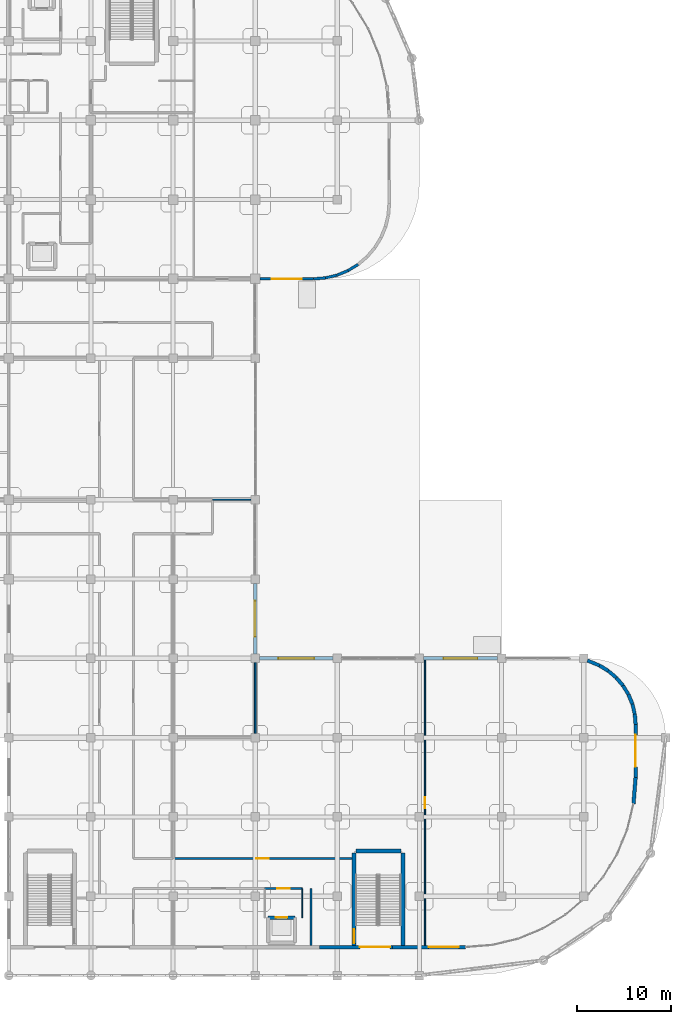
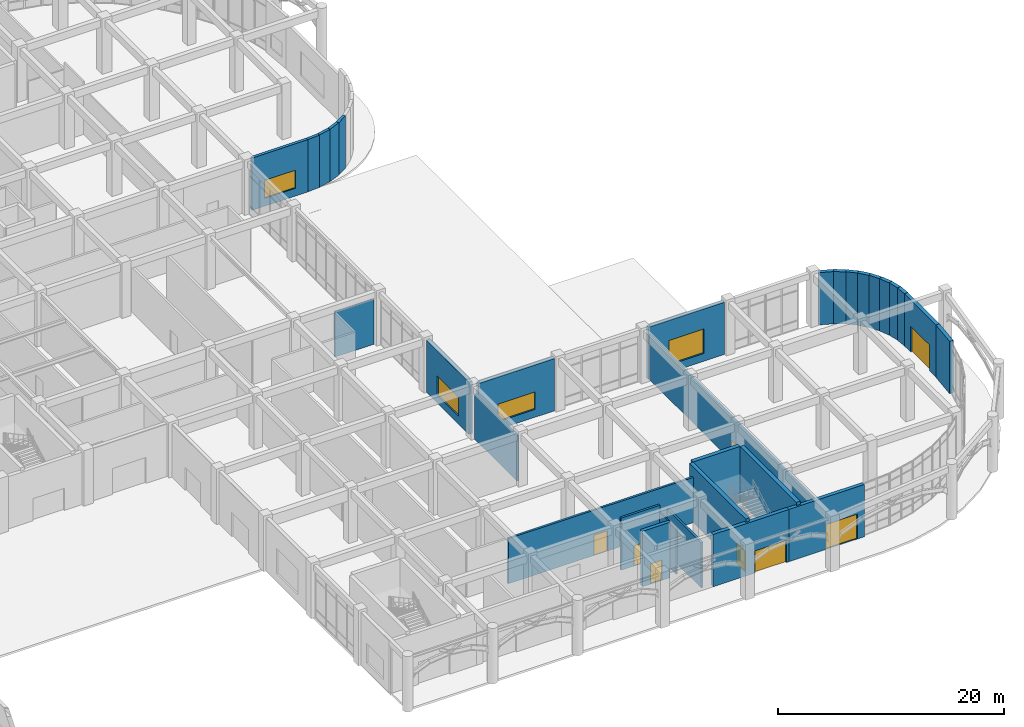
# One storey, part 70 of 82: 31 walls, 8 doors, 4 windows, 12 openings.
"""IFC4 building model written with IfcOpenShell, lengths in metres."""

from ifc_helpers import new_model, si_unit, derived_unit, direction, frame, frame_2d, origin, place, context, subcontext, project, spatial, rectangle, extrude, material, layer, layer_set, type_object, element, fill, save


model = new_model("IFC4")

# Units and contexts
model_context = context("Model", 3, precision=1e-05, world=origin(), true_north=direction((0.0, 1.0)))
body_context = subcontext(model_context, "Body", "Model", "MODEL_VIEW")
ifc_project = project(units=[si_unit("LENGTHUNIT", "METRE"), si_unit("AREAUNIT", "SQUARE_METRE"), si_unit("VOLUMEUNIT", "CUBIC_METRE"), si_unit("PLANEANGLEUNIT", "RADIAN"), si_unit("MASSUNIT", "GRAM", prefix="KILO"), derived_unit("THERMALTRANSMITTANCEUNIT", [(si_unit("MASSUNIT", "GRAM", prefix="KILO"), 1), (si_unit("TIMEUNIT", "SECOND"), -3), (si_unit("THERMODYNAMICTEMPERATUREUNIT", "KELVIN"), -1)])], contexts=[model_context])

# Site, building, storey
site_placement = place(None, origin())
site = spatial("IfcSite", under=ifc_project, at=site_placement, CompositionType="ELEMENT")
building_placement = place(site_placement, origin())
building = spatial("IfcBuilding", under=site, at=building_placement, Name="Qinzheling Arcade Emporium", CompositionType="ELEMENT")
storey_placement = place(building_placement, origin())
storey = spatial("IfcBuildingStorey", under=building, at=storey_placement, Name="L01", CompositionType="ELEMENT", Elevation=0.0)

# Wall, opening, door
ifc_material_1 = material(Name="Double-stud acoustic gypsum board partition")
ifc_layer_1 = layer(ifc_material_1, 0.215087890625, Name="Double-stud acoustic gypsum board partition")
ifc_layer_set_1 = layer_set([ifc_layer_1], Name="Double-stud acoustic gypsum board partition")
wall_type_1 = type_object("IfcWallType", Name="Acoustic Corridor Partition Wall 215", PredefinedType="PARTITIONING", material=ifc_layer_set_1)
wall_1_placement = place(storey_placement, frame((131.5, 9.199951171875, 0.0), z_axis=(0.0, 0.0, 1.0), x_axis=(1.0, 0.0, 0.0)))
wall_1 = element("IfcWall", 1, at=wall_1_placement, inside=storey, type_object=wall_type_1, Name="Interior Wall WL-L01-INT-0098", PredefinedType="PARTITIONING", context=body_context, shape_type="SweptSolid", body=[
    extrude(rectangle(XDim=4.0, YDim=0.215087890625, at=frame_2d((2.0, 0.0))), origin(), (0.0, 0.0, 1.0), 5.659912109375),
])
opening_1_placement = place(wall_1_placement, frame((1.324951171875, 0.0, 0.0)))
opening_1 = element("IfcOpeningElement", 2, at=opening_1_placement, cuts=wall_1, Name="Opening FD05", PredefinedType="OPENING", context=body_context, shape_type="SweptSolid", body=[
    extrude(rectangle(XDim=1.35009765625, YDim=2.199951171875, at=frame_2d((0.675048828125, 1.10009765625))), frame((0.0, 0.11767578125, 0.0), z_axis=(0.0, -1.0, 0.0), x_axis=(1.0, 0.0, 0.0)), (0.0, 0.0, 1.0), 0.235107421875),
])
ifc_material_2 = material(Name="Class B fire-rated stainless-clad door")
door_type_1 = type_object("IfcDoorType", Name="Kitchen Fire-Rated Service Door 1350x2200", OperationType="NOTDEFINED", PredefinedType="DOOR", material=ifc_material_2)
door_1_placement = place(opening_1_placement, origin())
door_1 = element("IfcDoor", 3, at=door_1_placement, inside=storey, type_object=door_type_1, Name="FD05 Interior Door DR-L01-INT-0030", OperationType="SINGLE_SWING_RIGHT", OverallHeight=2.199951171875, OverallWidth=1.35009765625, PredefinedType="DOOR", context=body_context, shape_type="SweptSolid", body=[
    extrude(rectangle(XDim=1.35009765625, YDim=2.199951171875, at=frame_2d((0.675048828125, 1.10009765625))), frame((0.0, 0.02490234375, 0.0), z_axis=(0.0, -1.0, 0.0), x_axis=(1.0, 0.0, 0.0)), (0.0, 0.0, 1.0), 0.050048828125),
])
fill(opening_1, door_1)

wall_2_placement = place(storey_placement, frame((121.800048828125, 12.39990234375, 0.0), z_axis=(0.0, 0.0, 1.0), x_axis=(1.0, 0.0, 0.0)))
wall_2 = element("IfcWall", 4, at=wall_2_placement, inside=storey, type_object=wall_type_1, Name="Interior Wall WL-L01-INT-0194", PredefinedType="PARTITIONING", context=body_context, shape_type="SweptSolid", body=[
    extrude(rectangle(XDim=18.949951171875, YDim=0.215087890625, at=frame_2d((9.47509765625, 0.0))), origin(), (0.0, 0.0, 1.0), 4.89501953125),
])
opening_2_placement = place(wall_2_placement, frame((8.800048828125, 0.0, 0.0)))
opening_2 = element("IfcOpeningElement", 5, at=opening_2_placement, cuts=wall_2, Name="Opening FD05", PredefinedType="OPENING", context=body_context, shape_type="SweptSolid", body=[
    extrude(rectangle(XDim=1.35009765625, YDim=2.199951171875, at=frame_2d((0.675048828125, 1.10009765625))), frame((0.0, 0.11767578125, 0.0), z_axis=(0.0, -1.0, 0.0), x_axis=(1.0, 0.0, 0.0)), (0.0, 0.0, 1.0), 0.235107421875),
])
door_2_placement = place(opening_2_placement, origin())
door_2 = element("IfcDoor", 6, at=door_2_placement, inside=storey, type_object=door_type_1, Name="FD05 Interior Door DR-L01-INT-0061", OperationType="SINGLE_SWING_RIGHT", OverallHeight=2.199951171875, OverallWidth=1.35009765625, PredefinedType="DOOR", context=body_context, shape_type="SweptSolid", body=[
    extrude(rectangle(XDim=1.35009765625, YDim=2.199951171875, at=frame_2d((0.675048828125, 1.10009765625))), frame((0.0, 0.02490234375, 0.0), z_axis=(0.0, -1.0, 0.0), x_axis=(1.0, 0.0, 0.0)), (0.0, 0.0, 1.0), 0.050048828125),
])
fill(opening_2, door_2)

# Walls
wall_3_placement = place(storey_placement, frame((136.39990234375, 3.18505859375, 0.0), z_axis=(0.0, 0.0, 1.0), x_axis=(0.0, 1.0, 0.0)))
element("IfcWall", 7, at=wall_3_placement, inside=storey, type_object=wall_type_1, Name="Interior Wall WL-L01-INT-0196", PredefinedType="PARTITIONING", context=body_context, shape_type="SweptSolid", body=[
    extrude(rectangle(XDim=6.014892578125, YDim=0.215087890625, at=frame_2d((3.00732421875, 0.0))), origin(), (0.0, 0.0, 1.0), 4.89501953125),
])
ifc_material_3 = material(Name="Galvanised stud back-of-house partition")
ifc_layer_2 = layer(ifc_material_3, 0.1201171875, Name="Galvanised stud back-of-house partition")
ifc_layer_set_2 = layer_set([ifc_layer_2], Name="Galvanised stud back-of-house partition")
wall_type_2 = type_object("IfcWallType", Name="Back-of-House Partition Wall 120", PredefinedType="PARTITIONING", material=ifc_layer_set_2)
wall_4_placement = place(storey_placement, frame((135.5, 9.199951171875, 0.0), z_axis=(0.0, 0.0, 1.0), x_axis=(0.0, -1.0, 0.0)))
element("IfcWall", 8, at=wall_4_placement, inside=storey, type_object=wall_type_2, Name="Interior Wall WL-L01-INT-0100", PredefinedType="PARTITIONING", context=body_context, shape_type="SweptSolid", body=[
    extrude(rectangle(XDim=3.070068359375, YDim=0.1201171875, at=frame_2d((1.53515625, 0.0))), origin(), (0.0, 0.0, 1.0), 4.89501953125),
])
ifc_material_4 = material(Name="Lightweight steel-stud gypsum partition", Category="steel")
ifc_layer_3 = layer(ifc_material_4, 0.18994140625, Name="Lightweight steel-stud gypsum partition", Category="steel")
ifc_layer_set_3 = layer_set([ifc_layer_3], Name="Lightweight steel-stud gypsum partition")
wall_type_3 = type_object("IfcWallType", Name="Department Tenant Partition Wall 190", PredefinedType="PARTITIONING", material=ifc_layer_set_3)
wall_5_placement = place(storey_placement, frame((130.5, 33.139892578125, 0.0), z_axis=(0.0, 0.0, 1.0), x_axis=(0.0, -1.0, 0.0)))
element("IfcWall", 9, at=wall_5_placement, inside=storey, type_object=wall_type_3, Name="Interior Wall WL-L01-INT-0249", PredefinedType="PARTITIONING", context=body_context, shape_type="SweptSolid", body=[
    extrude(rectangle(XDim=7.47998046875, YDim=0.18994140625, at=frame_2d((3.739990234375, 0.0))), origin(), (0.0, 0.0, 1.0), 4.89501953125),
])
ifc_material_5 = material(Name="Glazed cream terracotta on Concrete C40", Category="masonry")
ifc_layer_4 = layer(ifc_material_5, 0.3798828125, Name="Glazed cream terracotta on Concrete C40", Category="masonry")
ifc_layer_set_4 = layer_set([ifc_layer_4], Name="Glazed cream terracotta on Concrete C40")
wall_type_4 = type_object("IfcWallType", Name="Glazed Cream Terracotta Structural Wall 380", PredefinedType="STANDARD", material=ifc_layer_set_4)
wall_6_placement = place(storey_placement, frame((166.97802734375, 32.8369140625, 0.0), z_axis=(0.0, 0.0, 1.0), x_axis=(0.85248938518, -0.522744534314, 0.0)))
element("IfcWall", 10, at=wall_6_placement, inside=storey, type_object=wall_type_4, Name="Exterior Wall WL-L01-EW-0002", PredefinedType="STANDARD", context=body_context, shape_type="SweptSolid", body=[
    extrude(rectangle(XDim=1.097900390625, YDim=0.3798828125, at=frame_2d((0.548828125, 0.0))), origin(), (0.0, 0.0, 1.0), 5.659912109375),
])
for number, where, z_axis, x_axis, name in (
    (11, (168.75, 31.550048828125, 0.0), (0.0, 0.0, 1.0), (0.648886069044, -0.760885582332, 0.0), "Exterior Wall WL-L01-EW-0004"),
    (12, (170.037109375, 29.778076171875, 0.0), (0.0, 0.0, 1.0), (0.382247102127, -0.924060145724, 0.0), "Exterior Wall WL-L01-EW-0006"),
):
    element("IfcWall", number, at=place(storey_placement, frame(where, z_axis=z_axis, x_axis=x_axis)), inside=storey, type_object=wall_type_4, Name=name, PredefinedType="STANDARD", context=body_context, shape_type="SweptSolid", body=[
        extrude(rectangle(XDim=1.0986328125, YDim=0.3798828125, at=frame_2d((0.54931640625, 0.0))), origin(), (0.0, 0.0, 1.0), 5.659912109375),
    ])
wall_7_placement = place(storey_placement, frame((170.714111328125, 27.695068359375, 0.0), z_axis=(0.0, 0.0, 1.0), x_axis=(0.078243227069, -0.996934299449, 0.0)))
element("IfcWall", 13, at=wall_7_placement, inside=storey, type_object=wall_type_4, Name="Exterior Wall WL-L01-EW-0008", PredefinedType="STANDARD", context=body_context, shape_type="SweptSolid", body=[
    extrude(rectangle(XDim=1.098388671875, YDim=0.3798828125, at=frame_2d((0.54931640625, 0.0))), origin(), (0.0, 0.0, 1.0), 5.659912109375),
])
wall_8_placement = place(storey_placement, frame((170.800048828125, 21.0, 0.0), z_axis=(0.0, 0.0, 1.0), x_axis=(-0.078652755923, -0.996902073418, 0.0)))
element("IfcWall", 14, at=wall_8_placement, inside=storey, type_object=wall_type_4, Name="Exterior Wall WL-L01-EW-0010", PredefinedType="STANDARD", context=body_context, shape_type="SweptSolid", body=[
    extrude(rectangle(XDim=2.82470703125, YDim=0.3798828125, at=frame_2d((1.412353515625, 0.0))), origin(), (0.0, 0.0, 1.0), 5.659912109375),
])

# Wall, opening, door
wall_9_placement = place(storey_placement, frame((145.048095703125, 3.0, 0.0), z_axis=(0.0, 0.0, 1.0), x_axis=(-1.0, 0.0, 0.0)))
wall_9 = element("IfcWall", 15, at=wall_9_placement, inside=storey, type_object=wall_type_4, Name="Exterior Wall WL-L01-EW-0012", PredefinedType="STANDARD", context=body_context, shape_type="SweptSolid", body=[
    extrude(rectangle(XDim=7.74609375, YDim=0.3798828125, at=frame_2d((3.873046875, 0.0))), origin(), (0.0, 0.0, 1.0), 5.659912109375),
])
opening_3_placement = place(wall_9_placement, frame((0.25, 0.0, 0.0)))
opening_3 = element("IfcOpeningElement", 16, at=opening_3_placement, cuts=wall_9, Name="Opening ED01", PredefinedType="OPENING", context=body_context, shape_type="SweptSolid", body=[
    extrude(rectangle(XDim=3.199951171875, YDim=2.39990234375, at=frame_2d((1.60009765625, 1.199951171875))), frame((0.0, 0.199951171875, 0.0), z_axis=(0.0, -1.0, 0.0), x_axis=(1.0, 0.0, 0.0)), (0.0, 0.0, 1.0), 0.39990234375),
])
ifc_material_6 = material(Name="Fire-rated steel panic exit door", Category="steel")
door_type_2 = type_object("IfcDoorType", Name="Stairwell Street Final Exit Door 3200x2400", OperationType="DOUBLE_DOOR_SINGLE_SWING", PredefinedType="USERDEFINED", material=ifc_material_6)
door_3_placement = place(opening_3_placement, origin())
door_3 = element("IfcDoor", 17, at=door_3_placement, inside=storey, type_object=door_type_2, Name="ED01 Exterior Door DR-L01-EXT-003", ObjectType="ESCAPE_DOOR", OperationType="DOUBLE_DOOR_SINGLE_SWING", OverallHeight=2.39990234375, OverallWidth=3.199951171875, PredefinedType="USERDEFINED", context=body_context, shape_type="SweptSolid", body=[
    extrude(rectangle(XDim=3.199951171875, YDim=2.39990234375, at=frame_2d((1.60009765625, 1.199951171875))), frame((0.0, 0.02490234375, 0.0), z_axis=(0.0, -1.0, 0.0), x_axis=(1.0, 0.0, 0.0)), (0.0, 0.0, 1.0), 0.050048828125),
])
fill(opening_3, door_3)

# Wall, opening, window
wall_10_placement = place(storey_placement, frame((130.951904296875, 33.60009765625, 0.0), z_axis=(0.0, 0.0, 1.0), x_axis=(1.0, 0.0, 0.0)))
wall_10 = element("IfcWall", 18, at=wall_10_placement, inside=storey, type_object=wall_type_4, Name="Exterior Wall WL-L01-EW-0078", PredefinedType="STANDARD", context=body_context, shape_type="SweptSolid", body=[
    extrude(rectangle(XDim=7.796142578125, YDim=0.3798828125, at=frame_2d((3.89794921875, 0.0))), origin(), (0.0, 0.0, 1.0), 5.659912109375),
])
opening_4_placement = place(wall_10_placement, frame((1.998046875, 0.0, 0.85009765625)))
opening_4 = element("IfcOpeningElement", 19, at=opening_4_placement, cuts=wall_10, Name="Opening WN23", PredefinedType="OPENING", context=body_context, shape_type="SweptSolid", body=[
    extrude(rectangle(XDim=3.800048828125, YDim=1.89990234375, at=frame_2d((1.89990234375, 0.949951171875))), frame((0.0, 0.199951171875, 0.0), z_axis=(0.0, -1.0, 0.0), x_axis=(1.0, 0.0, 0.0)), (0.0, 0.0, 1.0), 0.39990234375),
])
ifc_material_7 = material(Name="Thermally broken aluminium frame with solar-control double glazing", Category="aluminium")
window_type_1 = type_object("IfcWindowType", Name="Chicago Tripartite Window 3800x1900", PartitioningType="TRIPLE_PANEL_VERTICAL", PredefinedType="WINDOW", material=ifc_material_7)
window_1_placement = place(opening_4_placement, origin())
window_1 = element("IfcWindow", 20, at=window_1_placement, inside=storey, type_object=window_type_1, Name="WN23 Window WN-L01-0016", OverallHeight=1.89990234375, OverallWidth=3.800048828125, PartitioningType="TRIPLE_PANEL_VERTICAL", PredefinedType="WINDOW", context=body_context, shape_type="SweptSolid", body=[
    extrude(rectangle(XDim=3.800048828125, YDim=1.89990234375, at=frame_2d((1.89990234375, 0.949951171875))), frame((0.0, 0.030029296875, 0.0), z_axis=(0.0, -1.0, 0.0), x_axis=(1.0, 0.0, 0.0)), (0.0, 0.0, 1.0), 0.06005859375),
])
fill(opening_4, window_1)

# Walls
ifc_layer_5 = layer(ifc_material_5, 0.360107421875, Name="Glazed cream terracotta on Concrete C40", Category="masonry")
ifc_layer_set_5 = layer_set([ifc_layer_5], Name="Glazed cream terracotta on Concrete C40")
wall_type_5 = type_object("IfcWallType", Name="Glazed Terracotta Pier Wall 360", PredefinedType="STANDARD", material=ifc_layer_set_5)
wall_11_placement = place(storey_placement, frame((165.693115234375, 33.368896484375, 0.0), z_axis=(0.0, 0.0, 1.0), x_axis=(0.923941959099, -0.382532686467, 0.0)))
element("IfcWall", 21, at=wall_11_placement, inside=storey, type_object=wall_type_5, Name="Exterior Wall WL-L01-EW-0001", PredefinedType="STANDARD", context=body_context, shape_type="SweptSolid", body=[
    extrude(rectangle(XDim=1.390625, YDim=0.360107421875, at=frame_2d((0.6953125, 0.0))), origin(), (0.0, 0.0, 1.0), 5.659912109375),
])
wall_12_placement = place(storey_placement, frame((167.9140625, 32.262939453125, 0.0), z_axis=(0.0, 0.0, 1.0), x_axis=(0.760885582332, -0.648886069044, 0.0)))
element("IfcWall", 22, at=wall_12_placement, inside=storey, type_object=wall_type_5, Name="Exterior Wall WL-L01-EW-0003", PredefinedType="STANDARD", context=body_context, shape_type="SweptSolid", body=[
    extrude(rectangle(XDim=1.0986328125, YDim=0.360107421875, at=frame_2d((0.54931640625, 0.0))), origin(), (0.0, 0.0, 1.0), 5.659912109375),
])
wall_13_placement = place(storey_placement, frame((169.462890625, 30.714111328125, 0.0), z_axis=(0.0, 0.0, 1.0), x_axis=(0.522906096273, -0.852390294689, 0.0)))
element("IfcWall", 23, at=wall_13_placement, inside=storey, type_object=wall_type_5, Name="Exterior Wall WL-L01-EW-0005", PredefinedType="STANDARD", context=body_context, shape_type="SweptSolid", body=[
    extrude(rectangle(XDim=1.09814453125, YDim=0.360107421875, at=frame_2d((0.549072265625, 0.0))), origin(), (0.0, 0.0, 1.0), 5.659912109375),
])
wall_14_placement = place(storey_placement, frame((170.45703125, 28.762939453125, 0.0), z_axis=(0.0, 0.0, 1.0), x_axis=(0.234053838575, -0.972223637158, 0.0)))
element("IfcWall", 24, at=wall_14_placement, inside=storey, type_object=wall_type_5, Name="Exterior Wall WL-L01-EW-0007", PredefinedType="STANDARD", context=body_context, shape_type="SweptSolid", body=[
    extrude(rectangle(XDim=1.098388671875, YDim=0.360107421875, at=frame_2d((0.54931640625, 0.0))), origin(), (0.0, 0.0, 1.0), 5.659912109375),
])

# Wall, opening, door
wall_15_placement = place(storey_placement, frame((170.800048828125, 26.60009765625, 0.0), z_axis=(0.0, 0.0, 1.0), x_axis=(0.0, -1.0, 0.0)))
wall_15 = element("IfcWall", 25, at=wall_15_placement, inside=storey, type_object=wall_type_5, Name="Exterior Wall WL-L01-EW-0009", PredefinedType="STANDARD", context=body_context, shape_type="SweptSolid", body=[
    extrude(rectangle(XDim=5.60009765625, YDim=0.360107421875, at=frame_2d((2.800048828125, 0.0))), origin(), (0.0, 0.0, 1.0), 5.659912109375),
])
opening_5_placement = place(wall_15_placement, frame((1.10009765625, 0.0, 0.0)))
opening_5 = element("IfcOpeningElement", 26, at=opening_5_placement, cuts=wall_15, Name="Opening E01", PredefinedType="OPENING", context=body_context, shape_type="SweptSolid", body=[
    extrude(rectangle(XDim=3.39990234375, YDim=2.800048828125, at=frame_2d((1.699951171875, 1.39990234375))), frame((0.0, 0.18994140625, 0.0), z_axis=(0.0, -1.0, 0.0), x_axis=(1.0, 0.0, 0.0)), (0.0, 0.0, 1.0), 0.380126953125),
])
ifc_material_8 = material(Name="Cast bronze and laminated glass", Category="glass")
door_type_3 = type_object("IfcDoorType", Name="Cast-Bronze Arcade Double Entrance Door 3400x2800", OperationType="DOUBLE_DOOR_SINGLE_SWING", PredefinedType="DOOR", material=ifc_material_8)
door_4_placement = place(opening_5_placement, origin())
door_4 = element("IfcDoor", 27, at=door_4_placement, inside=storey, type_object=door_type_3, Name="E01 Exterior Door DR-L01-EXT-001", OperationType="DOUBLE_DOOR_SINGLE_SWING", OverallHeight=2.800048828125, OverallWidth=3.39990234375, PredefinedType="DOOR", context=body_context, shape_type="SweptSolid", body=[
    extrude(rectangle(XDim=3.39990234375, YDim=2.800048828125, at=frame_2d((1.699951171875, 1.39990234375))), frame((0.0, 0.02490234375, 0.0), z_axis=(0.0, -1.0, 0.0), x_axis=(1.0, 0.0, 0.0)), (0.0, 0.0, 1.0), 0.050048828125),
])
fill(opening_5, door_4)

wall_16_placement = place(storey_placement, frame((152.800048828125, 3.0, 0.0), z_axis=(0.0, 0.0, 1.0), x_axis=(-1.0, 0.0, 0.0)))
wall_16 = element("IfcWall", 28, at=wall_16_placement, inside=storey, type_object=wall_type_5, Name="Exterior Wall WL-L01-EW-0011", PredefinedType="STANDARD", context=body_context, shape_type="SweptSolid", body=[
    extrude(rectangle(XDim=7.748046875, YDim=0.360107421875, at=frame_2d((3.8740234375, 0.0))), origin(), (0.0, 0.0, 1.0), 5.659912109375),
])
opening_6_placement = place(wall_16_placement, frame((0.72412109375, 0.0, 0.0)))
opening_6 = element("IfcOpeningElement", 29, at=opening_6_placement, cuts=wall_16, Name="Opening E02", PredefinedType="OPENING", context=body_context, shape_type="SweptSolid", body=[
    extrude(rectangle(XDim=3.199951171875, YDim=2.699951171875, at=frame_2d((1.60009765625, 1.35009765625))), frame((0.0, 0.18994140625, 0.0), z_axis=(0.0, -1.0, 0.0), x_axis=(1.0, 0.0, 0.0)), (0.0, 0.0, 1.0), 0.380126953125),
])
door_type_4 = type_object("IfcDoorType", Name="Forecourt Double Entrance Door 3200x2700", OperationType="DOUBLE_DOOR_SINGLE_SWING", PredefinedType="DOOR", material=ifc_material_8)
door_5_placement = place(opening_6_placement, origin())
door_5 = element("IfcDoor", 30, at=door_5_placement, inside=storey, type_object=door_type_4, Name="E02 Exterior Door DR-L01-EXT-002", OperationType="DOUBLE_DOOR_SINGLE_SWING", OverallHeight=2.699951171875, OverallWidth=3.199951171875, PredefinedType="DOOR", context=body_context, shape_type="SweptSolid", body=[
    extrude(rectangle(XDim=3.199951171875, YDim=2.699951171875, at=frame_2d((1.60009765625, 1.35009765625))), frame((0.0, 0.02490234375, 0.0), z_axis=(0.0, -1.0, 0.0), x_axis=(1.0, 0.0, 0.0)), (0.0, 0.0, 1.0), 0.050048828125),
])
fill(opening_6, door_5)

# Wall, opening, window
wall_17_placement = place(storey_placement, frame((130.5, 41.548095703125, 0.0), z_axis=(0.0, 0.0, 1.0), x_axis=(0.0, -1.0, 0.0)))
wall_17 = element("IfcWall", 31, at=wall_17_placement, inside=storey, type_object=wall_type_5, Name="Exterior Wall WL-L01-EW-0077", PredefinedType="STANDARD", context=body_context, shape_type="SweptSolid", body=[
    extrude(rectangle(XDim=7.49609375, YDim=0.360107421875, at=frame_2d((3.748046875, 0.0))), origin(), (0.0, 0.0, 1.0), 5.659912109375),
])
opening_7_placement = place(wall_17_placement, frame((1.847900390625, 0.0, 0.85009765625)))
opening_7 = element("IfcOpeningElement", 32, at=opening_7_placement, cuts=wall_17, Name="Opening WN22", PredefinedType="OPENING", context=body_context, shape_type="SweptSolid", body=[
    extrude(rectangle(XDim=3.800048828125, YDim=2.10009765625, at=frame_2d((1.89990234375, 1.050048828125))), frame((0.0, 0.18994140625, 0.0), z_axis=(0.0, -1.0, 0.0), x_axis=(1.0, 0.0, 0.0)), (0.0, 0.0, 1.0), 0.380126953125),
])
window_type_2 = type_object("IfcWindowType", Name="Chicago Tripartite Window 3800x2100", PartitioningType="TRIPLE_PANEL_VERTICAL", PredefinedType="WINDOW", material=ifc_material_7)
window_2_placement = place(opening_7_placement, origin())
window_2 = element("IfcWindow", 33, at=window_2_placement, inside=storey, type_object=window_type_2, Name="WN22 Window WN-L01-0015", OverallHeight=2.10009765625, OverallWidth=3.800048828125, PartitioningType="TRIPLE_PANEL_VERTICAL", PredefinedType="WINDOW", context=body_context, shape_type="SweptSolid", body=[
    extrude(rectangle(XDim=3.800048828125, YDim=2.10009765625, at=frame_2d((1.89990234375, 1.050048828125))), frame((0.0, 0.030029296875, 0.0), z_axis=(0.0, -1.0, 0.0), x_axis=(1.0, 0.0, 0.0)), (0.0, 0.0, 1.0), 0.06005859375),
])
fill(opening_7, window_2)

wall_18_placement = place(storey_placement, frame((148.35205078125, 33.60009765625, 0.0), z_axis=(0.0, 0.0, 1.0), x_axis=(1.0, 0.0, 0.0)))
wall_18 = element("IfcWall", 34, at=wall_18_placement, inside=storey, type_object=wall_type_5, Name="Exterior Wall WL-L01-EW-0079", PredefinedType="STANDARD", context=body_context, shape_type="SweptSolid", body=[
    extrude(rectangle(XDim=7.7958984375, YDim=0.360107421875, at=frame_2d((3.89794921875, 0.0))), origin(), (0.0, 0.0, 1.0), 5.659912109375),
])
opening_8_placement = place(wall_18_placement, frame((2.097900390625, 0.0, 0.85009765625)))
opening_8 = element("IfcOpeningElement", 35, at=opening_8_placement, cuts=wall_18, Name="Opening WN24", PredefinedType="OPENING", context=body_context, shape_type="SweptSolid", body=[
    extrude(rectangle(XDim=3.60009765625, YDim=2.64990234375, at=frame_2d((1.800048828125, 1.324951171875))), frame((0.0, 0.18994140625, 0.0), z_axis=(0.0, -1.0, 0.0), x_axis=(1.0, 0.0, 0.0)), (0.0, 0.0, 1.0), 0.380126953125),
])
window_type_3 = type_object("IfcWindowType", Name="Chicago Tripartite Window 3600x2650", PartitioningType="TRIPLE_PANEL_VERTICAL", PredefinedType="WINDOW", material=ifc_material_7)
window_3_placement = place(opening_8_placement, origin())
window_3 = element("IfcWindow", 36, at=window_3_placement, inside=storey, type_object=window_type_3, Name="WN24 Window WN-L01-0017", OverallHeight=2.64990234375, OverallWidth=3.60009765625, PartitioningType="TRIPLE_PANEL_VERTICAL", PredefinedType="WINDOW", context=body_context, shape_type="SweptSolid", body=[
    extrude(rectangle(XDim=3.60009765625, YDim=2.64990234375, at=frame_2d((1.800048828125, 1.324951171875))), frame((0.0, 0.030029296875, 0.0), z_axis=(0.0, -1.0, 0.0), x_axis=(1.0, 0.0, 0.0)), (0.0, 0.0, 1.0), 0.06005859375),
])
fill(opening_8, window_3)

# Walls
ifc_material_9 = material(Name="Buff glazed terracotta insulated wall", Category="masonry")
ifc_layer_6 = layer(ifc_material_9, 0.2900390625, Name="Buff glazed terracotta insulated wall", Category="masonry")
ifc_layer_set_6 = layer_set([ifc_layer_6], Name="Buff glazed terracotta insulated wall")
wall_type_6 = type_object("IfcWallType", Name="Office Bar Terracotta Wall 290", PredefinedType="STANDARD", material=ifc_layer_set_6)
wall_19_placement = place(storey_placement, frame((141.402099609375, 75.327880859375, 0.0), z_axis=(0.0, 0.0, 1.0), x_axis=(-0.852632005174, -0.522511879055, 0.0)))
element("IfcWall", 37, at=wall_19_placement, inside=storey, type_object=wall_type_6, Name="Exterior Wall WL-L01-EW-0072", PredefinedType="STANDARD", context=body_context, shape_type="SweptSolid", body=[
    extrude(rectangle(XDim=1.255126953125, YDim=0.2900390625, at=frame_2d((0.62744140625, 0.0))), origin(), (0.0, 0.0, 1.0), 5.659912109375),
])
wall_20_placement = place(storey_placement, frame((140.33203125, 74.672119140625, 0.0), z_axis=(0.0, 0.0, 1.0), x_axis=(-0.923943369563, -0.382529279716, 0.0)))
element("IfcWall", 38, at=wall_20_placement, inside=storey, type_object=wall_type_6, Name="Exterior Wall WL-L01-EW-0073", PredefinedType="STANDARD", context=body_context, shape_type="SweptSolid", body=[
    extrude(rectangle(XDim=1.25537109375, YDim=0.2900390625, at=frame_2d((0.627685546875, 0.0))), origin(), (0.0, 0.0, 1.0), 5.659912109375),
])
wall_21_placement = place(storey_placement, frame((139.172119140625, 74.19189453125, 0.0), z_axis=(0.0, 0.0, 1.0), x_axis=(-0.972231827136, -0.234019816048, 0.0)))
element("IfcWall", 39, at=wall_21_placement, inside=storey, type_object=wall_type_6, Name="Exterior Wall WL-L01-EW-0074", PredefinedType="STANDARD", context=body_context, shape_type="SweptSolid", body=[
    extrude(rectangle(XDim=1.256103515625, YDim=0.2900390625, at=frame_2d((0.6279296875, 0.0))), origin(), (0.0, 0.0, 1.0), 5.659912109375),
])
wall_22_placement = place(storey_placement, frame((137.950927734375, 73.89794921875, 0.0), z_axis=(0.0, 0.0, 1.0), x_axis=(-0.996951745605, -0.078020618655, 0.0)))
element("IfcWall", 40, at=wall_22_placement, inside=storey, type_object=wall_type_6, Name="Exterior Wall WL-L01-EW-0075", PredefinedType="STANDARD", context=body_context, shape_type="SweptSolid", body=[
    extrude(rectangle(XDim=1.2548828125, YDim=0.2900390625, at=frame_2d((0.62744140625, 0.0))), origin(), (0.0, 0.0, 1.0), 5.659912109375),
])

# Wall, opening, window
wall_23_placement = place(storey_placement, frame((136.699951171875, 73.800048828125, 0.0), z_axis=(0.0, 0.0, 1.0), x_axis=(-1.0, 0.0, 0.0)))
wall_23 = element("IfcWall", 41, at=wall_23_placement, inside=storey, type_object=wall_type_6, Name="Exterior Wall WL-L01-EW-0076", PredefinedType="STANDARD", context=body_context, shape_type="SweptSolid", body=[
    extrude(rectangle(XDim=5.697998046875, YDim=0.2900390625, at=frame_2d((2.84912109375, 0.0))), origin(), (0.0, 0.0, 1.0), 5.659912109375),
])
opening_9_placement = place(wall_23_placement, frame((1.2490234375, 0.0, 0.85009765625)))
opening_9 = element("IfcOpeningElement", 42, at=opening_9_placement, cuts=wall_23, Name="Opening WN37", PredefinedType="OPENING", context=body_context, shape_type="SweptSolid", body=[
    extrude(rectangle(XDim=3.199951171875, YDim=1.949951171875, at=frame_2d((1.60009765625, 0.97509765625))), frame((0.0, 0.155029296875, 0.0), z_axis=(0.0, -1.0, 0.0), x_axis=(1.0, 0.0, 0.0)), (0.0, 0.0, 1.0), 0.31005859375),
])
window_type_4 = type_object("IfcWindowType", Name="Chicago Tripartite Window 3200x1950", PartitioningType="TRIPLE_PANEL_VERTICAL", PredefinedType="WINDOW", material=ifc_material_7)
window_4_placement = place(opening_9_placement, origin())
window_4 = element("IfcWindow", 43, at=window_4_placement, inside=storey, type_object=window_type_4, Name="WN37 Window WN-L01-0014", OverallHeight=1.949951171875, OverallWidth=3.199951171875, PartitioningType="TRIPLE_PANEL_VERTICAL", PredefinedType="WINDOW", context=body_context, shape_type="SweptSolid", body=[
    extrude(rectangle(XDim=3.199951171875, YDim=1.949951171875, at=frame_2d((1.60009765625, 0.97509765625))), frame((0.0, 0.030029296875, 0.0), z_axis=(0.0, -1.0, 0.0), x_axis=(1.0, 0.0, 0.0)), (0.0, 0.0, 1.0), 0.06005859375),
])
fill(opening_9, window_4)

# Wall, opening, door
ifc_material_10 = material(Name="Concrete C40", Category="concrete")
ifc_layer_7 = layer(ifc_material_10, 0.35009765625, Name="Concrete C40", Category="concrete")
ifc_layer_set_7 = layer_set([ifc_layer_7], Name="Concrete C40")
wall_type_7 = type_object("IfcWallType", Name="RC Lift Shaft Shear Wall 350 C40", PredefinedType="SHEAR", material=ifc_layer_set_7)
wall_24_placement = place(storey_placement, frame((131.875, 6.125, 0.0), z_axis=(0.0, 0.0, 1.0), x_axis=(1.0, 0.0, 0.0)))
wall_24 = element("IfcWall", 44, at=wall_24_placement, inside=storey, type_object=wall_type_7, Name="Lift Shaft Wall WL-L01-LFT-LP05-N", PredefinedType="SHEAR", context=body_context, shape_type="SweptSolid", body=[
    extrude(rectangle(XDim=2.85009765625, YDim=0.35009765625, at=frame_2d((1.425048828125, 0.0))), origin(), (0.0, 0.0, 1.0), 6.0),
])
opening_10_placement = place(wall_24_placement, frame((0.824951171875, 0.0, 0.0)))
opening_10 = element("IfcOpeningElement", 45, at=opening_10_placement, cuts=wall_24, Name="Opening LD02", PredefinedType="OPENING", context=body_context, shape_type="SweptSolid", body=[
    extrude(rectangle(XDim=1.199951171875, YDim=2.199951171875, at=frame_2d((0.60009765625, 1.10009765625))), frame((0.0, 0.18505859375, 0.0), z_axis=(0.0, -1.0, 0.0), x_axis=(1.0, 0.0, 0.0)), (0.0, 0.0, 1.0), 0.3701171875),
])
ifc_material_11 = material(Name="Brushed bronze stainless sliding lift door")
door_type_5 = type_object("IfcDoorType", Name="Passenger Lift Sliding Landing Door 1200x2200", OperationType="DOUBLE_DOOR_SLIDING", PredefinedType="DOOR", material=ifc_material_11)
door_6_placement = place(opening_10_placement, origin())
door_6 = element("IfcDoor", 46, at=door_6_placement, inside=storey, type_object=door_type_5, Name="LD02 Lift Landing Door LP05 L01", OperationType="DOUBLE_DOOR_SLIDING", OverallHeight=2.199951171875, OverallWidth=1.199951171875, PredefinedType="DOOR", context=body_context, shape_type="SweptSolid", body=[
    extrude(rectangle(XDim=1.199951171875, YDim=2.199951171875, at=frame_2d((0.60009765625, 1.10009765625))), frame((0.0, 0.02490234375, 0.0), z_axis=(0.0, -1.0, 0.0), x_axis=(1.0, 0.0, 0.0)), (0.0, 0.0, 1.0), 0.050048828125),
])
fill(opening_10, door_6)

ifc_material_12 = material(Name="Concrete C50", Category="concrete")
ifc_layer_8 = layer(ifc_material_12, 0.39990234375, Name="Concrete C50", Category="concrete")
ifc_layer_set_8 = layer_set([ifc_layer_8], Name="Concrete C50")
wall_type_8 = type_object("IfcWallType", Name="RC Stair Core Shear Wall 400 C50", PredefinedType="SHEAR", material=ifc_layer_set_8)
wall_25_placement = place(storey_placement, frame((140.955078125, 3.0, 0.0), z_axis=(0.0, 0.0, 1.0), x_axis=(0.0, 1.0, 0.0)))
wall_25 = element("IfcWall", 47, at=wall_25_placement, inside=storey, type_object=wall_type_8, Name="Stair Core Wall WL-L01-ST06-WEST", PredefinedType="SHEAR", context=body_context, shape_type="SweptSolid", body=[
    extrude(rectangle(XDim=10.0, YDim=0.39990234375, at=frame_2d((5.0, 0.0))), origin(), (0.0, 0.0, 1.0), 6.0),
])
opening_11_placement = place(wall_25_placement, frame((0.409912109375, 0.0, 0.0)))
opening_11 = element("IfcOpeningElement", 48, at=opening_11_placement, cuts=wall_25, Name="Opening FD01", PredefinedType="OPENING", context=body_context, shape_type="SweptSolid", body=[
    extrude(rectangle(XDim=1.5, YDim=2.199951171875, at=frame_2d((0.75, 1.10009765625))), frame((0.0, 0.2099609375, 0.0), z_axis=(0.0, -1.0, 0.0), x_axis=(1.0, 0.0, 0.0)), (0.0, 0.0, 1.0), 0.419921875),
])
ifc_material_13 = material(Name="Class A fire-rated steel double door", Category="steel")
door_type_6 = type_object("IfcDoorType", Name="Stairwell Smoke-Proof Fire Door 1500x2200", OperationType="DOUBLE_DOOR_SINGLE_SWING", PredefinedType="DOOR", material=ifc_material_13)
door_7_placement = place(opening_11_placement, origin())
door_7 = element("IfcDoor", 49, at=door_7_placement, inside=storey, type_object=door_type_6, Name="FD01 Stairwell Fire Door DR-L01-ST06-FD", OperationType="DOUBLE_DOOR_SINGLE_SWING", OverallHeight=2.199951171875, OverallWidth=1.5, PredefinedType="DOOR", context=body_context, shape_type="SweptSolid", body=[
    extrude(rectangle(XDim=1.5, YDim=2.199951171875, at=frame_2d((0.75, 1.10009765625))), frame((0.0, 0.02490234375, 0.0), z_axis=(0.0, -1.0, 0.0), x_axis=(1.0, 0.0, 0.0)), (0.0, 0.0, 1.0), 0.050048828125),
])
fill(opening_11, door_7)

# Walls
wall_26_placement = place(storey_placement, frame((146.14501953125, 13.0, 0.0), z_axis=(0.0, 0.0, 1.0), x_axis=(0.0, -1.0, 0.0)))
element("IfcWall", 50, at=wall_26_placement, inside=storey, type_object=wall_type_8, Name="Stair Core Wall WL-L01-ST06-EAST", PredefinedType="SHEAR", context=body_context, shape_type="SweptSolid", body=[
    extrude(rectangle(XDim=10.0, YDim=0.39990234375, at=frame_2d((5.0, 0.0))), origin(), (0.0, 0.0, 1.0), 6.0),
])
wall_27_placement = place(storey_placement, frame((141.155029296875, 13.199951171875, 0.0), z_axis=(0.0, 0.0, 1.0), x_axis=(1.0, 0.0, 0.0)))
element("IfcWall", 51, at=wall_27_placement, inside=storey, type_object=wall_type_8, Name="Stair Core Wall WL-L01-ST06-NORTH", PredefinedType="SHEAR", context=body_context, shape_type="SweptSolid", body=[
    extrude(rectangle(XDim=4.7900390625, YDim=0.39990234375, at=frame_2d((2.39501953125, 0.0))), origin(), (0.0, 0.0, 1.0), 6.0),
])
ifc_material_14 = material(Name="Moisture-resistant tea room partition")
ifc_layer_9 = layer(ifc_material_14, 0.1298828125, Name="Moisture-resistant tea room partition")
ifc_layer_set_9 = layer_set([ifc_layer_9], Name="Moisture-resistant tea room partition")
wall_type_9 = type_object("IfcWallType", Name="Tea Room Partition Wall 130", PredefinedType="PARTITIONING", material=ifc_layer_set_9)
wall_28_placement = place(storey_placement, frame((126.0, 50.39990234375, 0.0), z_axis=(0.0, 0.0, 1.0), x_axis=(1.0, 0.0, 0.0)))
element("IfcWall", 52, at=wall_28_placement, inside=storey, type_object=wall_type_9, Name="Interior Wall WL-L01-INT-0248", PredefinedType="PARTITIONING", context=body_context, shape_type="SweptSolid", body=[
    extrude(rectangle(XDim=4.0400390625, YDim=0.1298828125, at=frame_2d((2.02001953125, 0.0))), origin(), (0.0, 0.0, 1.0), 4.909912109375),
])

# Wall, opening, door
wall_29_placement = place(storey_placement, frame((148.5, 33.4150390625, 0.0), z_axis=(0.0, 0.0, 1.0), x_axis=(0.0, -1.0, 0.0)))
wall_29 = element("IfcWall", 53, at=wall_29_placement, inside=storey, type_object=wall_type_9, Name="Interior Wall WL-L01-INT-0255", PredefinedType="PARTITIONING", context=body_context, shape_type="SweptSolid", body=[
    extrude(rectangle(XDim=30.22998046875, YDim=0.1298828125, at=frame_2d((15.114990234375, 0.0))), origin(), (0.0, 0.0, 1.0), 4.89501953125),
])
opening_12_placement = place(wall_29_placement, frame((14.5400390625, 0.0, 0.0)))
opening_12 = element("IfcOpeningElement", 54, at=opening_12_placement, cuts=wall_29, Name="Opening D05", PredefinedType="OPENING", context=body_context, shape_type="SweptSolid", body=[
    extrude(rectangle(XDim=1.14990234375, YDim=2.25, at=frame_2d((0.574951171875, 1.125))), frame((0.0, 0.074951171875, 0.0), z_axis=(0.0, -1.0, 0.0), x_axis=(1.0, 0.0, 0.0)), (0.0, 0.0, 1.0), 0.14990234375),
])
ifc_material_15 = material(Name="Solid oak acoustic veneer door")
door_type_7 = type_object("IfcDoorType", Name="Community Salon Single Door 1150x2250", OperationType="NOTDEFINED", PredefinedType="DOOR", material=ifc_material_15)
door_8_placement = place(opening_12_placement, origin())
door_8 = element("IfcDoor", 55, at=door_8_placement, inside=storey, type_object=door_type_7, Name="D05 Interior Door DR-L01-INT-0063", OperationType="SINGLE_SWING_RIGHT", OverallHeight=2.25, OverallWidth=1.14990234375, PredefinedType="DOOR", context=body_context, shape_type="SweptSolid", body=[
    extrude(rectangle(XDim=1.14990234375, YDim=2.25, at=frame_2d((0.574951171875, 1.125))), frame((0.0, 0.02490234375, 0.0), z_axis=(0.0, -1.0, 0.0), x_axis=(1.0, 0.0, 0.0)), (0.0, 0.0, 1.0), 0.050048828125),
])
fill(opening_12, door_8)

save(model, "model.ifc")
